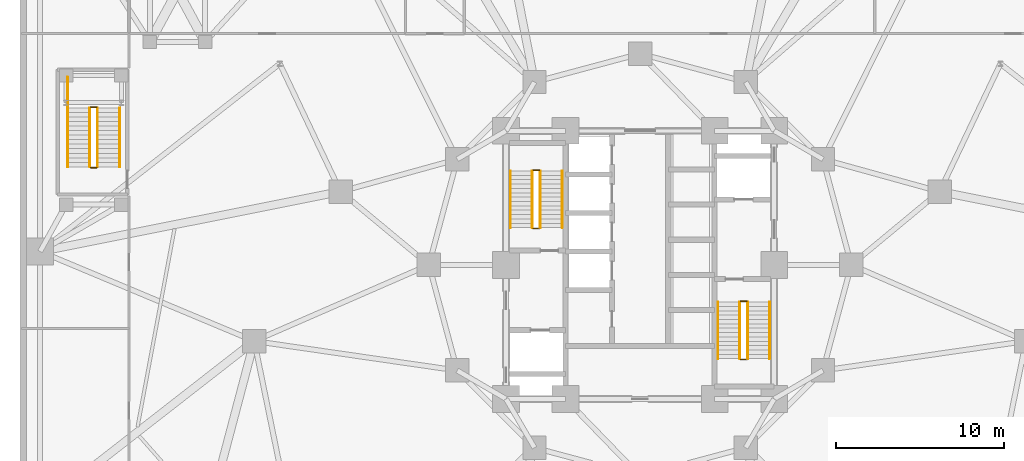
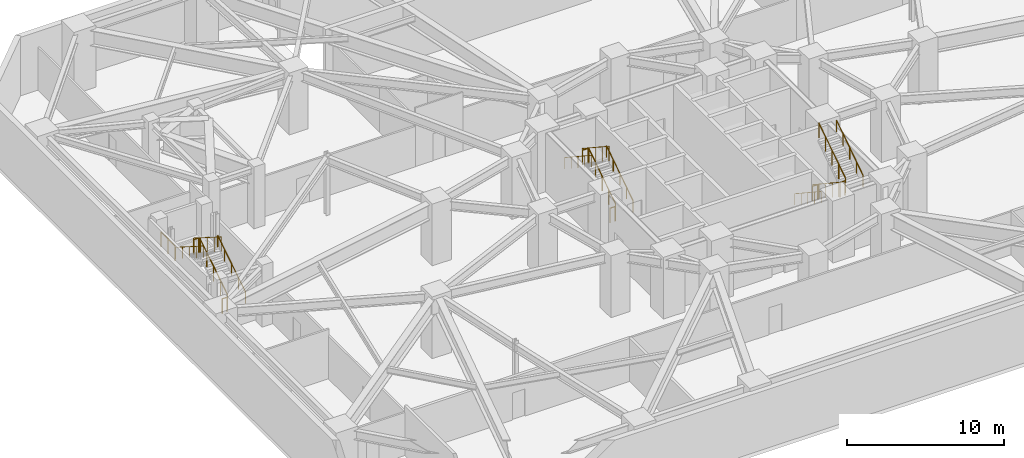
# One storey, part 16 of 18: 19 railings.
"""IFC4 building model written with IfcOpenShell, lengths in metres."""

from ifc_helpers import new_model, si_unit, direction, frame, origin, origin_2d, place, context, subcontext, project, spatial, circle, extrude, material, layer, layer_set, type_object, element, save


model = new_model("IFC4")

# Units and contexts
model_context = context("Model", 3, precision=1e-05, world=origin(), true_north=direction((0.0, 1.0)))
body_context = subcontext(model_context, "Body", "Model", "MODEL_VIEW")
ifc_project = project(units=[si_unit("LENGTHUNIT", "METRE"), si_unit("AREAUNIT", "SQUARE_METRE"), si_unit("VOLUMEUNIT", "CUBIC_METRE"), si_unit("PLANEANGLEUNIT", "RADIAN"), si_unit("MASSUNIT", "GRAM", prefix="KILO")], contexts=[model_context])

# Site, building, storey
site_placement = place(None, origin())
site = spatial("IfcSite", under=ifc_project, at=site_placement, CompositionType="ELEMENT")
building_placement = place(site_placement, origin())
building = spatial("IfcBuilding", under=site, at=building_placement, Name="Terralouvre Media Tower", CompositionType="ELEMENT")
storey_placement = place(building_placement, frame((0.0, 0.0, -4.800048828125)))
storey = spatial("IfcBuildingStorey", under=building, at=storey_placement, Name="B01", CompositionType="ELEMENT", Elevation=-4.800048828125)

# Railings
ifc_material_1 = material(Name="Stainless steel 316 handrail and balustrade", Category="steel")
ifc_layer_1 = layer(ifc_material_1, 0.050048828125, Name="Stair Flight Wall Handrail HR-INT1")
ifc_layer_set_1 = layer_set([ifc_layer_1], Name="Stainless steel 316 handrail and balustrade")
railing_type_1 = type_object("IfcRailingType", Name="Stair Flight Wall Handrail HR-INT1", PredefinedType="HANDRAIL", material=ifc_layer_set_1)
railing_1_placement = place(storey_placement, frame((-4.64990234375, 2.219970703125, 0.17138671875)))
element("IfcRailing", 1, at=railing_1_placement, inside=storey, type_object=railing_type_1, Name="B01 ST-01 stair handrail 1", PredefinedType="HANDRAIL", context=body_context, shape_type="SweptSolid", body=[
    extrude(circle(Radius=0.02392578125, at=origin_2d()), frame((0.0, 0.0, 0.8759765625), z_axis=(0.0, 0.834850508896, 0.550476727751), x_axis=(-1.0, 0.0, 0.0)), (0.0, 0.0, 1.0), 4.048828125),
    extrude(circle(Radius=0.02099609375, at=origin_2d()), origin(), (0.0, 0.0, 1.0), 0.851806640625),
    extrude(circle(Radius=0.02099609375, at=origin_2d()), frame((0.0, 0.844970703125, 0.55712890625)), (0.0, 0.0, 1.0), 0.851806640625),
    extrude(circle(Radius=0.02099609375, at=origin_2d()), frame((0.0, 1.68994140625, 1.1142578125)), (0.0, 0.0, 1.0), 0.851806640625),
    extrude(circle(Radius=0.02099609375, at=origin_2d()), frame((0.0, 2.53515625, 1.671630859375)), (0.0, 0.0, 1.0), 0.851806640625),
    extrude(circle(Radius=0.02099609375, at=origin_2d()), frame((0.0, 3.380126953125, 2.228759765625)), (0.0, 0.0, 1.0), 0.851806640625),
])
railing_2_placement = place(storey_placement, frame((-7.72998046875, 5.60009765625, 2.571533203125)))
element("IfcRailing", 2, at=railing_2_placement, inside=storey, type_object=railing_type_1, Name="B01 ST-01 stair handrail 2", PredefinedType="HANDRAIL", context=body_context, shape_type="SweptSolid", body=[
    extrude(circle(Radius=0.02392578125, at=origin_2d()), frame((0.0, 0.0, 0.8759765625), z_axis=(0.0, -0.834878220475, 0.550434698194), x_axis=(1.0, 0.0, 0.0)), (0.0, 0.0, 1.0), 4.048583984375),
    extrude(circle(Radius=0.02099609375, at=origin_2d()), origin(), (0.0, 0.0, 1.0), 0.851806640625),
    extrude(circle(Radius=0.02099609375, at=origin_2d()), frame((0.0, -0.844970703125, 0.55712890625)), (0.0, 0.0, 1.0), 0.851806640625),
    extrude(circle(Radius=0.02099609375, at=origin_2d()), frame((0.0, -1.68994140625, 1.1142578125)), (0.0, 0.0, 1.0), 0.851806640625),
    extrude(circle(Radius=0.02099609375, at=origin_2d()), frame((0.0, -2.53515625, 1.67138671875)), (0.0, 0.0, 1.0), 0.851806640625),
    extrude(circle(Radius=0.02099609375, at=origin_2d()), frame((0.0, -3.380126953125, 2.228515625)), (0.0, 0.0, 1.0), 0.851806640625),
])
railing_3_placement = place(storey_placement, frame((4.64990234375, -2.219970703125, 0.17138671875)))
element("IfcRailing", 3, at=railing_3_placement, inside=storey, type_object=railing_type_1, Name="B01 ST-02 stair handrail 1", PredefinedType="HANDRAIL", context=body_context, shape_type="SweptSolid", body=[
    extrude(circle(Radius=0.02392578125, at=origin_2d()), frame((0.0, 0.0, 0.8759765625), z_axis=(0.0, -0.834850508896, 0.550476727751), x_axis=(1.0, 0.0, 0.0)), (0.0, 0.0, 1.0), 4.048828125),
    extrude(circle(Radius=0.02099609375, at=origin_2d()), origin(), (0.0, 0.0, 1.0), 0.851806640625),
    extrude(circle(Radius=0.02099609375, at=origin_2d()), frame((0.0, -0.844970703125, 0.55712890625)), (0.0, 0.0, 1.0), 0.851806640625),
    extrude(circle(Radius=0.02099609375, at=origin_2d()), frame((0.0, -1.68994140625, 1.1142578125)), (0.0, 0.0, 1.0), 0.851806640625),
    extrude(circle(Radius=0.02099609375, at=origin_2d()), frame((0.0, -2.53515625, 1.671630859375)), (0.0, 0.0, 1.0), 0.851806640625),
    extrude(circle(Radius=0.02099609375, at=origin_2d()), frame((0.0, -3.380126953125, 2.228759765625)), (0.0, 0.0, 1.0), 0.851806640625),
])
railing_4_placement = place(storey_placement, frame((7.72998046875, -5.60009765625, 2.571533203125)))
element("IfcRailing", 4, at=railing_4_placement, inside=storey, type_object=railing_type_1, Name="B01 ST-02 stair handrail 2", PredefinedType="HANDRAIL", context=body_context, shape_type="SweptSolid", body=[
    extrude(circle(Radius=0.02392578125, at=origin_2d()), frame((0.0, 0.0, 0.8759765625), z_axis=(0.0, 0.834878220475, 0.550434698194), x_axis=(-1.0, 0.0, 0.0)), (0.0, 0.0, 1.0), 4.048583984375),
    extrude(circle(Radius=0.02099609375, at=origin_2d()), origin(), (0.0, 0.0, 1.0), 0.851806640625),
    extrude(circle(Radius=0.02099609375, at=origin_2d()), frame((0.0, 0.844970703125, 0.55712890625)), (0.0, 0.0, 1.0), 0.851806640625),
    extrude(circle(Radius=0.02099609375, at=origin_2d()), frame((0.0, 1.68994140625, 1.1142578125)), (0.0, 0.0, 1.0), 0.851806640625),
    extrude(circle(Radius=0.02099609375, at=origin_2d()), frame((0.0, 2.53515625, 1.67138671875)), (0.0, 0.0, 1.0), 0.851806640625),
    extrude(circle(Radius=0.02099609375, at=origin_2d()), frame((0.0, 3.380126953125, 2.228515625)), (0.0, 0.0, 1.0), 0.851806640625),
])
railing_5_placement = place(storey_placement, frame((-31.050048828125, 5.85009765625, 0.17138671875)))
element("IfcRailing", 5, at=railing_5_placement, inside=storey, type_object=railing_type_1, Name="B01 ST-03 stair handrail 1", PredefinedType="HANDRAIL", context=body_context, shape_type="SweptSolid", body=[
    extrude(circle(Radius=0.02392578125, at=origin_2d()), frame((0.0, 0.0, 0.8759765625), z_axis=(0.0, 0.844192992368, 0.536039356425), x_axis=(-1.0, 0.0, 0.0)), (0.0, 0.0, 1.0), 4.15771484375),
    extrude(circle(Radius=0.02099609375, at=origin_2d()), origin(), (0.0, 0.0, 1.0), 0.851806640625),
    extrude(circle(Radius=0.02099609375, at=origin_2d()), frame((0.0, 0.87744140625, 0.55712890625)), (0.0, 0.0, 1.0), 0.851806640625),
    extrude(circle(Radius=0.02099609375, at=origin_2d()), frame((0.0, 1.7548828125, 1.1142578125)), (0.0, 0.0, 1.0), 0.851806640625),
    extrude(circle(Radius=0.02099609375, at=origin_2d()), frame((0.0, 2.632568359375, 1.671630859375)), (0.0, 0.0, 1.0), 0.851806640625),
    extrude(circle(Radius=0.02099609375, at=origin_2d()), frame((0.0, 3.510009765625, 2.228759765625)), (0.0, 0.0, 1.0), 0.851806640625),
])
railing_6_placement = place(storey_placement, frame((-34.14990234375, 9.360107421875, 2.571533203125)))
element("IfcRailing", 6, at=railing_6_placement, inside=storey, type_object=railing_type_1, Name="B01 ST-03 stair handrail 2", PredefinedType="HANDRAIL", context=body_context, shape_type="SweptSolid", body=[
    extrude(circle(Radius=0.02392578125, at=origin_2d()), frame((0.0, 0.0, 0.8759765625), z_axis=(0.0, -0.844219563411, 0.53599750816), x_axis=(1.0, 0.0, 0.0)), (0.0, 0.0, 1.0), 4.15771484375),
    extrude(circle(Radius=0.02099609375, at=origin_2d()), origin(), (0.0, 0.0, 1.0), 0.851806640625),
    extrude(circle(Radius=0.02099609375, at=origin_2d()), frame((0.0, -0.87744140625, 0.55712890625)), (0.0, 0.0, 1.0), 0.851806640625),
    extrude(circle(Radius=0.02099609375, at=origin_2d()), frame((0.0, -1.7548828125, 1.1142578125)), (0.0, 0.0, 1.0), 0.851806640625),
    extrude(circle(Radius=0.02099609375, at=origin_2d()), frame((0.0, -2.632568359375, 1.67138671875)), (0.0, 0.0, 1.0), 0.851806640625),
    extrude(circle(Radius=0.02099609375, at=origin_2d()), frame((0.0, -3.510009765625, 2.228515625)), (0.0, 0.0, 1.0), 0.851806640625),
])
ifc_material_2 = material(Name="Stainless steel 316 handrail and balustrade", Category="steel")
ifc_layer_2 = layer(ifc_material_2, 0.050048828125, Name="Stairwell Safety Guardrail GR-INT1")
ifc_layer_set_2 = layer_set([ifc_layer_2], Name="Stainless steel 316 handrail and balustrade")
railing_type_2 = type_object("IfcRailingType", Name="Stairwell Safety Guardrail GR-INT1", PredefinedType="GUARDRAIL", material=ifc_layer_set_2)
railing_7_placement = place(storey_placement, frame((-5.949951171875, 2.219970703125, 0.17138671875)))
element("IfcRailing", 7, at=railing_7_placement, inside=storey, type_object=railing_type_2, Name="B01 ST-01 stair guard 1", PredefinedType="GUARDRAIL", context=body_context, shape_type="SweptSolid", body=[
    extrude(circle(Radius=0.02392578125, at=origin_2d()), frame((0.0, 0.0, 1.1259765625), z_axis=(0.0, 0.834850508896, 0.550476727751), x_axis=(-1.0, 0.0, 0.0)), (0.0, 0.0, 1.0), 4.048828125),
    extrude(circle(Radius=0.02099609375, at=origin_2d()), origin(), (0.0, 0.0, 1.0), 1.101806640625),
    extrude(circle(Radius=0.02099609375, at=origin_2d()), frame((0.0, 0.844970703125, 0.55712890625)), (0.0, 0.0, 1.0), 1.101806640625),
    extrude(circle(Radius=0.02099609375, at=origin_2d()), frame((0.0, 1.68994140625, 1.1142578125)), (0.0, 0.0, 1.0), 1.101806640625),
    extrude(circle(Radius=0.02099609375, at=origin_2d()), frame((0.0, 2.53515625, 1.671630859375)), (0.0, 0.0, 1.0), 1.101806640625),
    extrude(circle(Radius=0.02099609375, at=origin_2d()), frame((0.0, 3.380126953125, 2.228759765625)), (0.0, 0.0, 1.0), 1.101806640625),
])
railing_8_placement = place(storey_placement, frame((-6.0, 5.64990234375, 2.400146484375)))
element("IfcRailing", 8, at=railing_8_placement, inside=storey, type_object=railing_type_2, Name="B01 ST-01 stair guard 2", PredefinedType="GUARDRAIL", context=body_context, shape_type="SweptSolid", body=[
    extrude(circle(Radius=0.02392578125, at=origin_2d()), frame((0.0, 0.0, 1.1259765625), z_axis=(-1.0, 0.0, 0.0), x_axis=(0.0, -1.0, 0.0)), (0.0, 0.0, 1.0), 0.3798828125),
    extrude(circle(Radius=0.02099609375, at=origin_2d()), origin(), (0.0, 0.0, 1.0), 1.101806640625),
    extrude(circle(Radius=0.02099609375, at=origin_2d()), frame((-0.3798828125, 0.0, 0.0)), (0.0, 0.0, 1.0), 1.101806640625),
])
railing_9_placement = place(storey_placement, frame((-6.429931640625, 5.60009765625, 2.571533203125)))
element("IfcRailing", 9, at=railing_9_placement, inside=storey, type_object=railing_type_2, Name="B01 ST-01 stair guard 3", PredefinedType="GUARDRAIL", context=body_context, shape_type="SweptSolid", body=[
    extrude(circle(Radius=0.02392578125, at=origin_2d()), frame((0.0, 0.0, 1.1259765625), z_axis=(0.0, -0.834878220475, 0.550434698194), x_axis=(1.0, 0.0, 0.0)), (0.0, 0.0, 1.0), 4.048583984375),
    extrude(circle(Radius=0.02099609375, at=origin_2d()), origin(), (0.0, 0.0, 1.0), 1.101806640625),
    extrude(circle(Radius=0.02099609375, at=origin_2d()), frame((0.0, -0.844970703125, 0.55712890625)), (0.0, 0.0, 1.0), 1.101806640625),
    extrude(circle(Radius=0.02099609375, at=origin_2d()), frame((0.0, -1.68994140625, 1.1142578125)), (0.0, 0.0, 1.0), 1.101806640625),
    extrude(circle(Radius=0.02099609375, at=origin_2d()), frame((0.0, -2.53515625, 1.67138671875)), (0.0, 0.0, 1.0), 1.101806640625),
    extrude(circle(Radius=0.02099609375, at=origin_2d()), frame((0.0, -3.380126953125, 2.228515625)), (0.0, 0.0, 1.0), 1.101806640625),
])
railing_10_placement = place(storey_placement, frame((-6.0, 2.169921875, 0.0)))
element("IfcRailing", 10, at=railing_10_placement, inside=storey, type_object=railing_type_2, Name="B01 ST-01 stair guard 4", PredefinedType="GUARDRAIL", context=body_context, shape_type="SweptSolid", body=[
    extrude(circle(Radius=0.02392578125, at=origin_2d()), frame((0.0, 0.0, 1.1259765625), z_axis=(-1.0, 0.0, 0.0), x_axis=(0.0, -1.0, 0.0)), (0.0, 0.0, 1.0), 0.3798828125),
    extrude(circle(Radius=0.02099609375, at=origin_2d()), origin(), (0.0, 0.0, 1.0), 1.101806640625),
    extrude(circle(Radius=0.02099609375, at=origin_2d()), frame((-0.3798828125, 0.0, 0.0)), (0.0, 0.0, 1.0), 1.101806640625),
])
railing_11_placement = place(storey_placement, frame((5.949951171875, -2.219970703125, 0.17138671875)))
element("IfcRailing", 11, at=railing_11_placement, inside=storey, type_object=railing_type_2, Name="B01 ST-02 stair guard 1", PredefinedType="GUARDRAIL", context=body_context, shape_type="SweptSolid", body=[
    extrude(circle(Radius=0.02392578125, at=origin_2d()), frame((0.0, 0.0, 1.1259765625), z_axis=(0.0, -0.834850508896, 0.550476727751), x_axis=(1.0, 0.0, 0.0)), (0.0, 0.0, 1.0), 4.048828125),
    extrude(circle(Radius=0.02099609375, at=origin_2d()), origin(), (0.0, 0.0, 1.0), 1.101806640625),
    extrude(circle(Radius=0.02099609375, at=origin_2d()), frame((0.0, -0.844970703125, 0.55712890625)), (0.0, 0.0, 1.0), 1.101806640625),
    extrude(circle(Radius=0.02099609375, at=origin_2d()), frame((0.0, -1.68994140625, 1.1142578125)), (0.0, 0.0, 1.0), 1.101806640625),
    extrude(circle(Radius=0.02099609375, at=origin_2d()), frame((0.0, -2.53515625, 1.671630859375)), (0.0, 0.0, 1.0), 1.101806640625),
    extrude(circle(Radius=0.02099609375, at=origin_2d()), frame((0.0, -3.380126953125, 2.228759765625)), (0.0, 0.0, 1.0), 1.101806640625),
])
railing_12_placement = place(storey_placement, frame((6.0, -5.64990234375, 2.400146484375)))
element("IfcRailing", 12, at=railing_12_placement, inside=storey, type_object=railing_type_2, Name="B01 ST-02 stair guard 2", PredefinedType="GUARDRAIL", context=body_context, shape_type="SweptSolid", body=[
    extrude(circle(Radius=0.02392578125, at=origin_2d()), frame((0.0, 0.0, 1.1259765625), z_axis=(1.0, 0.0, 0.0), x_axis=(0.0, 1.0, 0.0)), (0.0, 0.0, 1.0), 0.3798828125),
    extrude(circle(Radius=0.02099609375, at=origin_2d()), origin(), (0.0, 0.0, 1.0), 1.101806640625),
    extrude(circle(Radius=0.02099609375, at=origin_2d()), frame((0.3798828125, 0.0, 0.0)), (0.0, 0.0, 1.0), 1.101806640625),
])
railing_13_placement = place(storey_placement, frame((6.429931640625, -5.60009765625, 2.571533203125)))
element("IfcRailing", 13, at=railing_13_placement, inside=storey, type_object=railing_type_2, Name="B01 ST-02 stair guard 3", PredefinedType="GUARDRAIL", context=body_context, shape_type="SweptSolid", body=[
    extrude(circle(Radius=0.02392578125, at=origin_2d()), frame((0.0, 0.0, 1.1259765625), z_axis=(0.0, 0.834878220475, 0.550434698194), x_axis=(-1.0, 0.0, 0.0)), (0.0, 0.0, 1.0), 4.048583984375),
    extrude(circle(Radius=0.02099609375, at=origin_2d()), origin(), (0.0, 0.0, 1.0), 1.101806640625),
    extrude(circle(Radius=0.02099609375, at=origin_2d()), frame((0.0, 0.844970703125, 0.55712890625)), (0.0, 0.0, 1.0), 1.101806640625),
    extrude(circle(Radius=0.02099609375, at=origin_2d()), frame((0.0, 1.68994140625, 1.1142578125)), (0.0, 0.0, 1.0), 1.101806640625),
    extrude(circle(Radius=0.02099609375, at=origin_2d()), frame((0.0, 2.53515625, 1.67138671875)), (0.0, 0.0, 1.0), 1.101806640625),
    extrude(circle(Radius=0.02099609375, at=origin_2d()), frame((0.0, 3.380126953125, 2.228515625)), (0.0, 0.0, 1.0), 1.101806640625),
])
railing_14_placement = place(storey_placement, frame((6.0, -2.169921875, 0.0)))
element("IfcRailing", 14, at=railing_14_placement, inside=storey, type_object=railing_type_2, Name="B01 ST-02 stair guard 4", PredefinedType="GUARDRAIL", context=body_context, shape_type="SweptSolid", body=[
    extrude(circle(Radius=0.02392578125, at=origin_2d()), frame((0.0, 0.0, 1.1259765625), z_axis=(1.0, 0.0, 0.0), x_axis=(0.0, 1.0, 0.0)), (0.0, 0.0, 1.0), 0.3798828125),
    extrude(circle(Radius=0.02099609375, at=origin_2d()), origin(), (0.0, 0.0, 1.0), 1.101806640625),
    extrude(circle(Radius=0.02099609375, at=origin_2d()), frame((0.3798828125, 0.0, 0.0)), (0.0, 0.0, 1.0), 1.101806640625),
])
railing_15_placement = place(storey_placement, frame((-32.3701171875, 5.85009765625, 0.17138671875)))
element("IfcRailing", 15, at=railing_15_placement, inside=storey, type_object=railing_type_2, Name="B01 ST-03 stair guard 1", PredefinedType="GUARDRAIL", context=body_context, shape_type="SweptSolid", body=[
    extrude(circle(Radius=0.02392578125, at=origin_2d()), frame((0.0, 0.0, 1.1259765625), z_axis=(0.0, 0.844192992368, 0.536039356425), x_axis=(-1.0, 0.0, 0.0)), (0.0, 0.0, 1.0), 4.15771484375),
    extrude(circle(Radius=0.02099609375, at=origin_2d()), origin(), (0.0, 0.0, 1.0), 1.101806640625),
    extrude(circle(Radius=0.02099609375, at=origin_2d()), frame((0.0, 0.87744140625, 0.55712890625)), (0.0, 0.0, 1.0), 1.101806640625),
    extrude(circle(Radius=0.02099609375, at=origin_2d()), frame((0.0, 1.7548828125, 1.1142578125)), (0.0, 0.0, 1.0), 1.101806640625),
    extrude(circle(Radius=0.02099609375, at=origin_2d()), frame((0.0, 2.632568359375, 1.671630859375)), (0.0, 0.0, 1.0), 1.101806640625),
    extrude(circle(Radius=0.02099609375, at=origin_2d()), frame((0.0, 3.510009765625, 2.228759765625)), (0.0, 0.0, 1.0), 1.101806640625),
])
railing_16_placement = place(storey_placement, frame((-32.419921875, 9.409912109375, 2.400146484375)))
element("IfcRailing", 16, at=railing_16_placement, inside=storey, type_object=railing_type_2, Name="B01 ST-03 stair guard 2", PredefinedType="GUARDRAIL", context=body_context, shape_type="SweptSolid", body=[
    extrude(circle(Radius=0.02392578125, at=origin_2d()), frame((0.0, 0.0, 1.1259765625), z_axis=(-1.0, 0.0, 0.0), x_axis=(0.0, -1.0, 0.0)), (0.0, 0.0, 1.0), 0.360107421875),
    extrude(circle(Radius=0.02099609375, at=origin_2d()), origin(), (0.0, 0.0, 1.0), 1.101806640625),
    extrude(circle(Radius=0.02099609375, at=origin_2d()), frame((-0.360107421875, 0.0, 0.0)), (0.0, 0.0, 1.0), 1.101806640625),
])
railing_17_placement = place(storey_placement, frame((-32.830078125, 9.360107421875, 2.571533203125)))
element("IfcRailing", 17, at=railing_17_placement, inside=storey, type_object=railing_type_2, Name="B01 ST-03 stair guard 3", PredefinedType="GUARDRAIL", context=body_context, shape_type="SweptSolid", body=[
    extrude(circle(Radius=0.02392578125, at=origin_2d()), frame((0.0, 0.0, 1.1259765625), z_axis=(0.0, -0.844219563411, 0.53599750816), x_axis=(1.0, 0.0, 0.0)), (0.0, 0.0, 1.0), 4.15771484375),
    extrude(circle(Radius=0.02099609375, at=origin_2d()), origin(), (0.0, 0.0, 1.0), 1.101806640625),
    extrude(circle(Radius=0.02099609375, at=origin_2d()), frame((0.0, -0.87744140625, 0.55712890625)), (0.0, 0.0, 1.0), 1.101806640625),
    extrude(circle(Radius=0.02099609375, at=origin_2d()), frame((0.0, -1.7548828125, 1.1142578125)), (0.0, 0.0, 1.0), 1.101806640625),
    extrude(circle(Radius=0.02099609375, at=origin_2d()), frame((0.0, -2.632568359375, 1.67138671875)), (0.0, 0.0, 1.0), 1.101806640625),
    extrude(circle(Radius=0.02099609375, at=origin_2d()), frame((0.0, -3.510009765625, 2.228515625)), (0.0, 0.0, 1.0), 1.101806640625),
])
railing_18_placement = place(storey_placement, frame((-32.419921875, 5.800048828125, 0.0)))
element("IfcRailing", 18, at=railing_18_placement, inside=storey, type_object=railing_type_2, Name="B01 ST-03 stair guard 4", PredefinedType="GUARDRAIL", context=body_context, shape_type="SweptSolid", body=[
    extrude(circle(Radius=0.02392578125, at=origin_2d()), frame((0.0, 0.0, 1.1259765625), z_axis=(-1.0, 0.0, 0.0), x_axis=(0.0, -1.0, 0.0)), (0.0, 0.0, 1.0), 0.360107421875),
    extrude(circle(Radius=0.02099609375, at=origin_2d()), origin(), (0.0, 0.0, 1.0), 1.101806640625),
    extrude(circle(Radius=0.02099609375, at=origin_2d()), frame((-0.360107421875, 0.0, 0.0)), (0.0, 0.0, 1.0), 1.101806640625),
])
railing_19_placement = place(storey_placement, frame((-34.159912109375, 9.39990234375, 2.400146484375)))
element("IfcRailing", 19, at=railing_19_placement, inside=storey, type_object=railing_type_2, Name="B01 ST-03 Half-Landing Outer Guardrail", PredefinedType="GUARDRAIL", context=body_context, shape_type="SweptSolid", body=[
    extrude(circle(Radius=0.02392578125, at=origin_2d()), frame((0.0, 0.0, 1.1259765625), z_axis=(0.0, 1.0, 0.0), x_axis=(-1.0, 0.0, 0.0)), (0.0, 0.0, 1.0), 1.81005859375),
    extrude(circle(Radius=0.02099609375, at=origin_2d()), origin(), (0.0, 0.0, 1.0), 1.101806640625),
    extrude(circle(Radius=0.02099609375, at=origin_2d()), frame((0.0, 0.905029296875, 0.0)), (0.0, 0.0, 1.0), 1.101806640625),
    extrude(circle(Radius=0.02099609375, at=origin_2d()), frame((0.0, 1.81005859375, 0.0)), (0.0, 0.0, 1.0), 1.101806640625),
])

save(model, "model.ifc")
